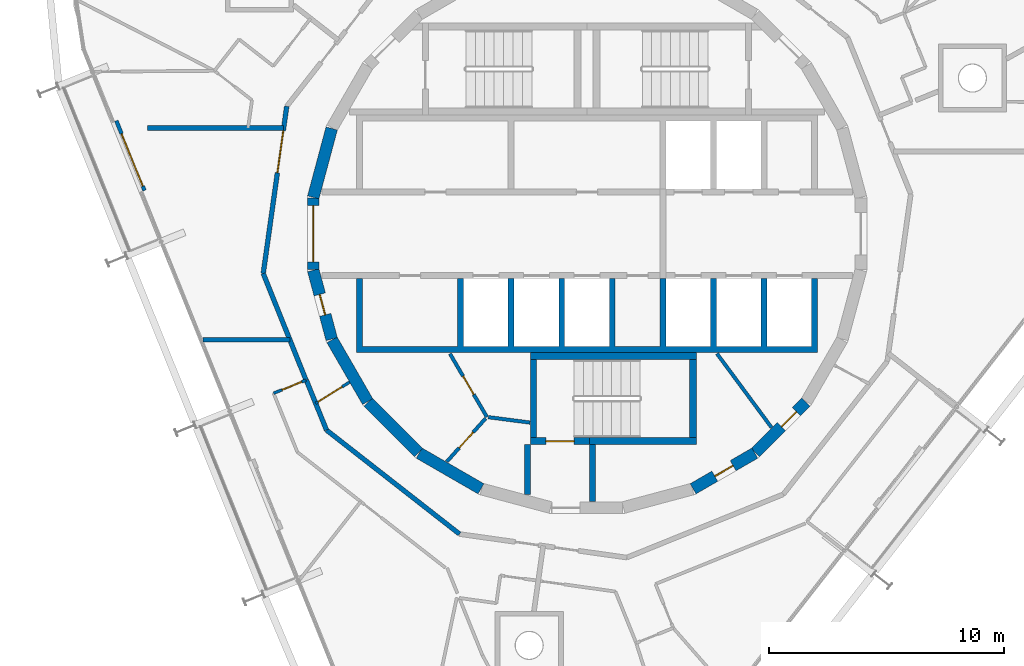
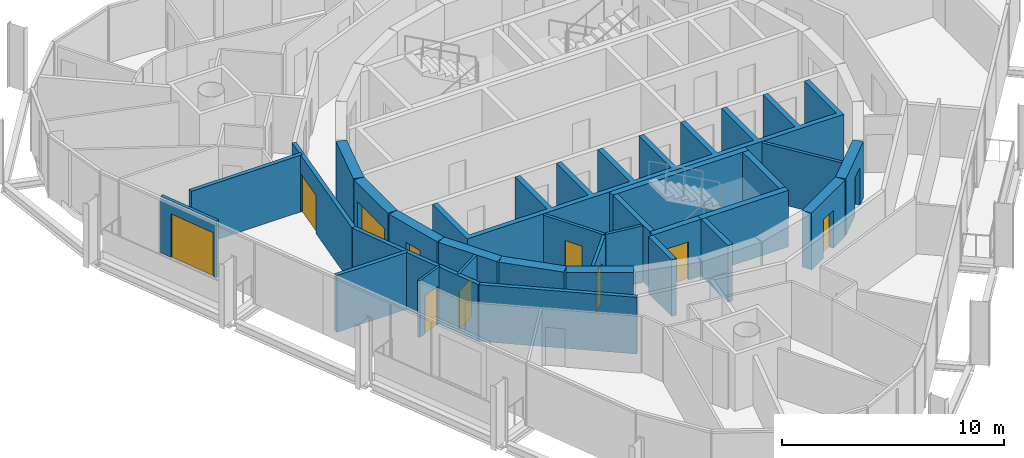
# One storey, part 10 of 15: 29 walls, 11 doors, 11 openings.
"""IFC4 building model written with IfcOpenShell, lengths in metres."""

from ifc_helpers import new_model, si_unit, direction, frame, frame_2d, origin, place, context, subcontext, project, spatial, polyline, rectangle, outline, extrude, material, layer, layer_set, type_object, element, fill, save


model = new_model("IFC4")

# Units and contexts
model_context = context("Model", 3, precision=1e-05, world=origin(), true_north=direction((0.0, 1.0)))
body_context = subcontext(model_context, "Body", "Model", "MODEL_VIEW")
ifc_project = project(units=[si_unit("LENGTHUNIT", "METRE"), si_unit("AREAUNIT", "SQUARE_METRE"), si_unit("VOLUMEUNIT", "CUBIC_METRE"), si_unit("PLANEANGLEUNIT", "RADIAN"), si_unit("MASSUNIT", "GRAM", prefix="KILO")], contexts=[model_context])

# Site, building, storey
site_placement = place(None, origin())
site = spatial("IfcSite", under=ifc_project, at=site_placement, CompositionType="ELEMENT")
building_placement = place(site_placement, origin())
building = spatial("IfcBuilding", under=site, at=building_placement, Name="Spindle Arch Residences", CompositionType="ELEMENT")
storey_placement = place(building_placement, frame((0.0, 0.0, 336.5)))
storey = spatial("IfcBuildingStorey", under=building, at=storey_placement, Name="L86", CompositionType="ELEMENT", Elevation=336.5)

# Wall, opening, door
ifc_material_1 = material(Name="Concrete C50/60", Category="concrete")
ifc_layer_1 = layer(ifc_material_1, 0.5)
ifc_layer_set_1 = layer_set([ifc_layer_1], Name="Core outline wall 500")
wall_type_1 = type_object("IfcWallType", Name="Core outline wall 500", PredefinedType="SHEAR", material=ifc_layer_set_1)
wall_1_placement = place(storey_placement, frame((4.510498046875, -10.84521484375, 0.0), z_axis=(0.0, 0.0, 1.0), x_axis=(0.865975092491, 0.500087131594, 0.0)))
wall_1 = element("IfcWall", 1, at=wall_1_placement, inside=storey, type_object=wall_type_1, Name="Core outline wall 2", PredefinedType="SHEAR", context=body_context, shape_type="SweptSolid", body=[
    extrude(rectangle(XDim=3.03271484375, YDim=0.5, at=frame_2d((1.516357421875, 0.0))), origin(), (0.0, 0.0, 1.0), 3.1201171875),
])
opening_1_placement = place(wall_1_placement, frame((1.06640625, 0.0, 0.0)))
opening_1 = element("IfcOpeningElement", 2, at=opening_1_placement, cuts=wall_1, Name="Opening R9A1-WD08", PredefinedType="OPENING", context=body_context, shape_type="SweptSolid", body=[
    extrude(rectangle(XDim=0.89990234375, YDim=2.10009765625, at=frame_2d((0.449951171875, 1.050048828125))), frame((0.0, 0.260009765625, 0.0), z_axis=(0.0, -1.0, 0.0), x_axis=(1.0, 0.0, 0.0)), (0.0, 0.0, 1.0), 0.52001953125),
])
ifc_material_2 = material(Name="Steel, fire-resisting door", Category="steel")
door_type_1 = type_object("IfcDoorType", Name="Service room door 900x2100", OperationType="SINGLE_SWING_LEFT", PredefinedType="DOOR", material=ifc_material_2)
door_1_placement = place(opening_1_placement, origin())
door_1 = element("IfcDoor", 3, at=door_1_placement, inside=storey, type_object=door_type_1, Name="Service room door R9A1-WD08", OperationType="SINGLE_SWING_RIGHT", OverallHeight=2.10009765625, OverallWidth=0.89990234375, PredefinedType="DOOR", context=body_context, shape_type="SweptSolid", body=[
    extrude(rectangle(XDim=0.89990234375, YDim=2.10009765625, at=frame_2d((0.449951171875, 1.050048828125))), frame((0.0, 0.02490234375, 0.0), z_axis=(0.0, -1.0, 0.0), x_axis=(1.0, 0.0, 0.0)), (0.0, 0.0, 1.0), 0.050048828125),
])
fill(opening_1, door_1)

wall_2_placement = place(storey_placement, frame((7.163818359375, -9.30810546875, 0.0), z_axis=(0.0, 0.0, 1.0), x_axis=(0.707106781187, 0.707106781187, 0.0)))
wall_2 = element("IfcWall", 4, at=wall_2_placement, inside=storey, type_object=wall_type_1, Name="Core outline wall 3", PredefinedType="SHEAR", context=body_context, shape_type="SweptSolid", body=[
    extrude(rectangle(XDim=3.032470703125, YDim=0.5, at=frame_2d((1.51611328125, 0.0))), origin(), (0.0, 0.0, 1.0), 3.1201171875),
])
opening_2_placement = place(wall_2_placement, frame((1.56640625, 0.0, 0.0)))
opening_2 = element("IfcOpeningElement", 5, at=opening_2_placement, cuts=wall_2, Name="Opening R9A1-WD09", PredefinedType="OPENING", context=body_context, shape_type="SweptSolid", body=[
    extrude(rectangle(XDim=0.89990234375, YDim=2.10009765625, at=frame_2d((0.449951171875, 1.050048828125))), frame((0.0, 0.260009765625, 0.0), z_axis=(0.0, -1.0, 0.0), x_axis=(1.0, 0.0, 0.0)), (0.0, 0.0, 1.0), 0.52001953125),
])
door_2_placement = place(opening_2_placement, origin())
door_2 = element("IfcDoor", 6, at=door_2_placement, inside=storey, type_object=door_type_1, Name="Service room door R9A1-WD09", OperationType="SINGLE_SWING_LEFT", OverallHeight=2.10009765625, OverallWidth=0.89990234375, PredefinedType="DOOR", context=body_context, shape_type="SweptSolid", body=[
    extrude(rectangle(XDim=0.89990234375, YDim=2.10009765625, at=frame_2d((0.449951171875, 1.050048828125))), frame((0.0, 0.02490234375, 0.0), z_axis=(0.0, -1.0, 0.0), x_axis=(1.0, 0.0, 0.0)), (0.0, 0.0, 1.0), 0.050048828125),
])
fill(opening_2, door_2)

# Wall
wall_3_placement = place(storey_placement, frame((-10.858154296875, 4.479248046875, 0.0), z_axis=(0.0, 0.0, 1.0), x_axis=(-0.258734743916, -0.965948410781, 0.0)))
element("IfcWall", 7, at=wall_3_placement, inside=storey, type_object=wall_type_1, Name="Core outline wall 17", PredefinedType="SHEAR", context=body_context, shape_type="SweptSolid", body=[
    extrude(rectangle(XDim=3.03271484375, YDim=0.5, at=frame_2d((1.516357421875, 0.0))), origin(), (0.0, 0.0, 1.0), 3.1201171875),
])

# Wall, opening, door
wall_4_placement = place(storey_placement, frame((-11.647216796875, 1.516357421875, 0.0), z_axis=(0.0, 0.0, 1.0), x_axis=(0.0, -1.0, 0.0)))
wall_4 = element("IfcWall", 8, at=wall_4_placement, inside=storey, type_object=wall_type_1, Name="Core outline wall 18", PredefinedType="SHEAR", context=body_context, shape_type="SweptSolid", body=[
    extrude(rectangle(XDim=3.03271484375, YDim=0.5, at=frame_2d((1.516357421875, 0.0))), origin(), (0.0, 0.0, 1.0), 3.1201171875),
])
opening_3_placement = place(wall_4_placement, frame((0.31640625, 0.0, 0.0)))
opening_3 = element("IfcOpeningElement", 9, at=opening_3_placement, cuts=wall_4, Name="Opening R9A1-LE01", PredefinedType="OPENING", context=body_context, shape_type="SweptSolid", body=[
    extrude(rectangle(XDim=2.39990234375, YDim=2.10009765625, at=frame_2d((1.199951171875, 1.050048828125))), frame((0.0, 0.260009765625, 0.0), z_axis=(0.0, -1.0, 0.0), x_axis=(1.0, 0.0, 0.0)), (0.0, 0.0, 1.0), 0.52001953125),
])
ifc_material_3 = material(Name="Steel, fire-resisting door", Category="steel")
door_type_2 = type_object("IfcDoorType", Name="Lift lobby entrance door 2400x2100", OperationType="DOUBLE_DOOR_SINGLE_SWING", PredefinedType="DOOR", material=ifc_material_3)
door_3_placement = place(opening_3_placement, origin())
door_3 = element("IfcDoor", 10, at=door_3_placement, inside=storey, type_object=door_type_2, Name="Lift lobby entrance door R9A1-LE01", OperationType="DOUBLE_DOOR_SINGLE_SWING", OverallHeight=2.10009765625, OverallWidth=2.39990234375, PredefinedType="DOOR", context=body_context, shape_type="SweptSolid", body=[
    extrude(rectangle(XDim=2.39990234375, YDim=2.10009765625, at=frame_2d((1.199951171875, 1.050048828125))), frame((0.0, 0.02490234375, 0.0), z_axis=(0.0, -1.0, 0.0), x_axis=(1.0, 0.0, 0.0)), (0.0, 0.0, 1.0), 0.050048828125),
])
fill(opening_3, door_3)

wall_5_placement = place(storey_placement, frame((-11.642822265625, -1.5498046875, 0.0), z_axis=(0.0, 0.0, 1.0), x_axis=(0.258734743916, -0.965948410781, 0.0)))
wall_5 = element("IfcWall", 11, at=wall_5_placement, inside=storey, type_object=wall_type_1, Name="Core outline wall 19", PredefinedType="SHEAR", context=body_context, shape_type="SweptSolid", body=[
    extrude(rectangle(XDim=3.03271484375, YDim=0.5, at=frame_2d((1.516357421875, 0.0))), origin(), (0.0, 0.0, 1.0), 3.1201171875),
])
opening_4_placement = place(wall_5_placement, frame((1.06640625, 0.0, 0.0)))
opening_4 = element("IfcOpeningElement", 12, at=opening_4_placement, cuts=wall_5, Name="Opening R9A1-WD10", PredefinedType="OPENING", context=body_context, shape_type="SweptSolid", body=[
    extrude(rectangle(XDim=0.89990234375, YDim=2.10009765625, at=frame_2d((0.449951171875, 1.050048828125))), frame((0.0, 0.260009765625, 0.0), z_axis=(0.0, -1.0, 0.0), x_axis=(1.0, 0.0, 0.0)), (0.0, 0.0, 1.0), 0.52001953125),
])
door_4_placement = place(opening_4_placement, origin())
door_4 = element("IfcDoor", 13, at=door_4_placement, inside=storey, type_object=door_type_1, Name="Service room door R9A1-WD10", OperationType="SINGLE_SWING_RIGHT", OverallHeight=2.10009765625, OverallWidth=0.89990234375, PredefinedType="DOOR", context=body_context, shape_type="SweptSolid", body=[
    extrude(rectangle(XDim=0.89990234375, YDim=2.10009765625, at=frame_2d((0.449951171875, 1.050048828125))), frame((0.0, 0.02490234375, 0.0), z_axis=(0.0, -1.0, 0.0), x_axis=(1.0, 0.0, 0.0)), (0.0, 0.0, 1.0), 0.050048828125),
])
fill(opening_4, door_4)

# Walls
wall_6_placement = place(storey_placement, frame((-10.84521484375, -4.510498046875, 0.0), z_axis=(0.0, 0.0, 1.0), x_axis=(0.500087131594, -0.865975092491, 0.0)))
element("IfcWall", 14, at=wall_6_placement, inside=storey, type_object=wall_type_1, Name="Core outline wall 20", PredefinedType="SHEAR", context=body_context, shape_type="SweptSolid", body=[
    extrude(rectangle(XDim=3.03271484375, YDim=0.5, at=frame_2d((1.516357421875, 0.0))), origin(), (0.0, 0.0, 1.0), 3.1201171875),
])
wall_7_placement = place(storey_placement, frame((-9.30810546875, -7.163818359375, 0.0), z_axis=(0.0, 0.0, 1.0), x_axis=(0.707106781187, -0.707106781187, 0.0)))
element("IfcWall", 15, at=wall_7_placement, inside=storey, type_object=wall_type_1, Name="Core outline wall 21", PredefinedType="SHEAR", context=body_context, shape_type="SweptSolid", body=[
    extrude(rectangle(XDim=3.032470703125, YDim=0.5, at=frame_2d((1.51611328125, 0.0))), origin(), (0.0, 0.0, 1.0), 3.1201171875),
])
wall_8_placement = place(storey_placement, frame((-7.13671875, -9.32861328125, 0.0), z_axis=(0.0, 0.0, 1.0), x_axis=(0.865975092491, -0.500087131594, 0.0)))
element("IfcWall", 16, at=wall_8_placement, inside=storey, type_object=wall_type_1, Name="Core outline wall 22", PredefinedType="SHEAR", context=body_context, shape_type="SweptSolid", body=[
    extrude(rectangle(XDim=3.03271484375, YDim=0.5, at=frame_2d((1.516357421875, 0.0))), origin(), (0.0, 0.0, 1.0), 3.1201171875),
])

# Wall, opening, door
ifc_material_4 = material(Name="Plasterboard on steel studs", Category="steel")
ifc_layer_2 = layer(ifc_material_4, 0.1201171875)
ifc_layer_set_2 = layer_set([ifc_layer_2], Name="Corridor division wall 120")
wall_type_2 = type_object("IfcWallType", Name="Corridor division wall 120", PredefinedType="PARTITIONING", material=ifc_layer_set_2)
wall_9_placement = place(storey_placement, frame((-11.539306640625, -7.21044921875, 0.0), z_axis=(0.0, 0.0, 1.0), x_axis=(0.848103039868, 0.529831325769, 0.0)))
wall_9 = element("IfcWall", 17, at=wall_9_placement, inside=storey, type_object=wall_type_2, Name="Corridor division wall R9A1-W003", PredefinedType="PARTITIONING", context=body_context, shape_type="SweptSolid", body=[
    extrude(rectangle(XDim=1.7021484375, YDim=0.1201171875, at=frame_2d((0.85107421875, 0.0))), origin(), (0.0, 0.0, 1.0), 3.1201171875),
])
opening_5_placement = place(wall_9_placement, frame((0.1201171875, 0.0, 0.0)))
opening_5 = element("IfcOpeningElement", 18, at=opening_5_placement, cuts=wall_9, Name="Opening R9A1-CD03", PredefinedType="OPENING", context=body_context, shape_type="SweptSolid", body=[
    extrude(rectangle(XDim=1.199951171875, YDim=2.10009765625, at=frame_2d((0.60009765625, 1.050048828125))), frame((0.0, 0.070068359375, 0.0), z_axis=(0.0, -1.0, 0.0), x_axis=(1.0, 0.0, 0.0)), (0.0, 0.0, 1.0), 0.14013671875),
])
ifc_material_5 = material(Name="Steel, fire-resisting door", Category="steel")
door_type_3 = type_object("IfcDoorType", Name="Corridor division door 1200x2100", OperationType="NOTDEFINED", PredefinedType="DOOR", material=ifc_material_5)
door_5_placement = place(opening_5_placement, origin())
door_5 = element("IfcDoor", 19, at=door_5_placement, inside=storey, type_object=door_type_3, Name="Corridor division door R9A1-CD03", OperationType="DOUBLE_DOOR_SINGLE_SWING", OverallHeight=2.10009765625, OverallWidth=1.199951171875, PredefinedType="DOOR", context=body_context, shape_type="SweptSolid", body=[
    extrude(rectangle(XDim=1.199951171875, YDim=2.10009765625, at=frame_2d((0.60009765625, 1.050048828125))), frame((0.0, 0.02490234375, 0.0), z_axis=(0.0, -1.0, 0.0), x_axis=(1.0, 0.0, 0.0)), (0.0, 0.0, 1.0), 0.050048828125),
])
fill(opening_5, door_5)

# Walls
ifc_material_6 = material(Name="Calcium silicate block, plastered")
ifc_layer_3 = layer(ifc_material_6, 0.199951171875)
ifc_layer_set_3 = layer_set([ifc_layer_3], Name="Corridor wall 200")
wall_type_3 = type_object("IfcWallType", Name="Corridor wall 200", PredefinedType="STANDARD", material=ifc_layer_set_3)
wall_10_placement = place(storey_placement, frame((-11.939453125, -6.2197265625, 0.0), z_axis=(0.0, 0.0, 1.0), x_axis=(0.374651128394, -0.927165860024, 0.0)))
element("IfcWall", 20, at=wall_10_placement, inside=storey, type_object=wall_type_3, Name="Corridor wall R9A1-W013", PredefinedType="STANDARD", context=body_context, shape_type="SweptSolid", body=[
    extrude(rectangle(XDim=2.29638671875, YDim=0.199951171875, at=frame_2d((1.148193359375, 0.0))), origin(), (0.0, 0.0, 1.0), 3.1201171875),
])
wall_11_placement = place(storey_placement, frame((-11.0791015625, -8.348876953125, 0.0), z_axis=(0.0, 0.0, 1.0), x_axis=(0.78800478687, -0.615669112324, 0.0)))
element("IfcWall", 21, at=wall_11_placement, inside=storey, type_object=wall_type_3, Name="Corridor wall R9A1-W014", PredefinedType="STANDARD", context=body_context, shape_type="SweptSolid", body=[
    extrude(rectangle(XDim=7.18115234375, YDim=0.199951171875, at=frame_2d((3.590576171875, 0.0))), origin(), (0.0, 0.0, 1.0), 3.1201171875),
])

# Wall, opening, door
ifc_material_7 = material(Name="Plasterboard on steel studs", Category="steel")
ifc_layer_4 = layer(ifc_material_7, 0.1201171875)
ifc_layer_set_4 = layer_set([ifc_layer_4], Name="Flat partition 120")
wall_type_4 = type_object("IfcWallType", Name="Flat partition 120", PredefinedType="PARTITIONING", material=ifc_layer_set_4)
wall_12_placement = place(storey_placement, frame((-11.953369140625, -6.225341796875, 0.0), z_axis=(0.0, 0.0, 1.0), x_axis=(-0.927144096717, -0.374704982518, 0.0)))
wall_12 = element("IfcWall", 22, at=wall_12_placement, inside=storey, type_object=wall_type_4, Name="Flat partition R9A1-W071", PredefinedType="PARTITIONING", context=body_context, shape_type="SweptSolid", body=[
    extrude(rectangle(XDim=1.48486328125, YDim=0.1201171875, at=frame_2d((0.742431640625, 0.0))), origin(), (0.0, 0.0, 1.0), 3.1201171875),
])
opening_6_placement = place(wall_12_placement, frame((0.199951171875, 0.0, 0.0)))
opening_6 = element("IfcOpeningElement", 23, at=opening_6_placement, cuts=wall_12, Name="Opening R9A1-ID15", PredefinedType="OPENING", context=body_context, shape_type="SweptSolid", body=[
    extrude(rectangle(XDim=0.89990234375, YDim=2.10009765625, at=frame_2d((0.449951171875, 1.050048828125))), frame((0.0, 0.070068359375, 0.0), z_axis=(0.0, -1.0, 0.0), x_axis=(1.0, 0.0, 0.0)), (0.0, 0.0, 1.0), 0.14013671875),
])
ifc_material_8 = material(Name="Timber door set", Category="wood")
door_type_4 = type_object("IfcDoorType", Name="Room door 900x2100", OperationType="NOTDEFINED", PredefinedType="DOOR", material=ifc_material_8)
door_6_placement = place(opening_6_placement, origin())
door_6 = element("IfcDoor", 24, at=door_6_placement, inside=storey, type_object=door_type_4, Name="Room door R9A1-ID15", OperationType="SINGLE_SWING_LEFT", OverallHeight=2.10009765625, OverallWidth=0.89990234375, PredefinedType="DOOR", context=body_context, shape_type="SweptSolid", body=[
    extrude(rectangle(XDim=0.89990234375, YDim=2.10009765625, at=frame_2d((0.449951171875, 1.050048828125))), frame((0.0, 0.02490234375, 0.0), z_axis=(0.0, -1.0, 0.0), x_axis=(1.0, 0.0, 0.0)), (0.0, 0.0, 1.0), 0.050048828125),
])
fill(opening_6, door_6)

ifc_material_9 = material(Name="Non-combustible mineral wool insulated aluminium faced external wall (K0)", Category="aluminium")
ifc_layer_5 = layer(ifc_material_9, 0.159912109375)
ifc_layer_set_5 = layer_set([ifc_layer_5], Name="Insulated external wall panel 160")
wall_type_5 = type_object("IfcWallType", Name="Insulated external wall panel 160", PredefinedType="STANDARD", material=ifc_layer_set_5)
wall_13_placement = place(storey_placement, frame((-20.01611328125, 4.805908203125, 0.0), z_axis=(0.0, 0.0, 1.0), x_axis=(0.374598019739, -0.927187318511, 0.0)))
wall_13 = element("IfcWall", 25, at=wall_13_placement, inside=storey, type_object=wall_type_5, Name="External wall L86 bay 12", PredefinedType="STANDARD", context=body_context, shape_type="SweptSolid", body=[
    extrude(rectangle(XDim=3.199951171875, YDim=0.159912109375, at=frame_2d((1.60009765625, 0.0))), origin(), (0.0, 0.0, 1.0), 3.1201171875),
])
opening_7_placement = place(wall_13_placement, frame((0.60009765625, 0.0, 0.0)))
opening_7 = element("IfcOpeningElement", 26, at=opening_7_placement, cuts=wall_13, Name="Opening BD12", PredefinedType="OPENING", context=body_context, shape_type="SweptSolid", body=[
    extrude(rectangle(XDim=2.39990234375, YDim=2.39990234375, at=frame_2d((1.199951171875, 1.199951171875))), frame((0.0, 0.08984375, 0.0), z_axis=(0.0, -1.0, 0.0), x_axis=(1.0, 0.0, 0.0)), (0.0, 0.0, 1.0), 0.179931640625),
])
ifc_material_10 = material(Name="Bronze aluminium frame, tinted double glazing", Category="aluminium")
door_type_5 = type_object("IfcDoorType", Name="Sliding glazed balcony door 2400x2400", OperationType="DOUBLE_DOOR_SLIDING", PredefinedType="DOOR", material=ifc_material_10)
door_7_placement = place(opening_7_placement, origin())
door_7 = element("IfcDoor", 27, at=door_7_placement, inside=storey, type_object=door_type_5, Name="Balcony door BD12", OperationType="DOUBLE_DOOR_SLIDING", OverallHeight=2.39990234375, OverallWidth=2.39990234375, PredefinedType="DOOR", context=body_context, shape_type="SweptSolid", body=[
    extrude(rectangle(XDim=2.39990234375, YDim=2.39990234375, at=frame_2d((1.199951171875, 1.199951171875))), frame((0.0, 0.02490234375, 0.0), z_axis=(0.0, -1.0, 0.0), x_axis=(1.0, 0.0, 0.0)), (0.0, 0.0, 1.0), 0.050048828125),
])
fill(opening_7, door_7)

ifc_material_11 = material(Name="Calcium silicate block, plastered")
ifc_layer_6 = layer(ifc_material_11, 0.199951171875)
ifc_layer_set_6 = layer_set([ifc_layer_6], Name="Lift lobby bay wall 200")
wall_type_6 = type_object("IfcWallType", Name="Lift lobby bay wall 200", PredefinedType="STANDARD", material=ifc_layer_set_6)
wall_14_placement = place(storey_placement, frame((-12.77001953125, 5.42041015625, 0.0), z_axis=(0.0, 0.0, 1.0), x_axis=(-0.139155334385, -0.990270565508, 0.0)))
wall_14 = element("IfcWall", 28, at=wall_14_placement, inside=storey, type_object=wall_type_6, Name="Lift lobby bay wall R9A1-W009", PredefinedType="STANDARD", context=body_context, shape_type="SweptSolid", body=[
    extrude(rectangle(XDim=7.180908203125, YDim=0.199951171875, at=frame_2d((3.59033203125, 0.0))), origin(), (0.0, 0.0, 1.0), 3.1201171875),
])
opening_8_placement = place(wall_14_placement, frame((1.0546875, 0.0, 0.0)))
opening_8 = element("IfcOpeningElement", 29, at=opening_8_placement, cuts=wall_14, Name="Opening R9A1-LB01", PredefinedType="OPENING", context=body_context, shape_type="SweptSolid", body=[
    extrude(rectangle(XDim=1.800048828125, YDim=2.10009765625, at=frame_2d((0.89990234375, 1.050048828125))), frame((0.0, 0.10986328125, 0.0), z_axis=(0.0, -1.0, 0.0), x_axis=(1.0, 0.0, 0.0)), (0.0, 0.0, 1.0), 0.219970703125),
])
ifc_material_12 = material(Name="Steel, fire-resisting door", Category="steel")
door_type_6 = type_object("IfcDoorType", Name="Lift lobby bay door 1800x2100", OperationType="NOTDEFINED", PredefinedType="DOOR", material=ifc_material_12)
door_8_placement = place(opening_8_placement, origin())
door_8 = element("IfcDoor", 30, at=door_8_placement, inside=storey, type_object=door_type_6, Name="Lift lobby bay door R9A1-LB01", OperationType="DOUBLE_DOOR_SINGLE_SWING", OverallHeight=2.10009765625, OverallWidth=1.800048828125, PredefinedType="DOOR", context=body_context, shape_type="SweptSolid", body=[
    extrude(rectangle(XDim=1.800048828125, YDim=2.10009765625, at=frame_2d((0.89990234375, 1.050048828125))), frame((0.0, 0.02490234375, 0.0), z_axis=(0.0, -1.0, 0.0), x_axis=(1.0, 0.0, 0.0)), (0.0, 0.0, 1.0), 0.050048828125),
])
fill(opening_8, door_8)

# Walls
wall_15_placement = place(storey_placement, frame((-13.769287109375, -1.690673828125, 0.0), z_axis=(0.0, 0.0, 1.0), x_axis=(0.372720094028, -0.927943819155, 0.0)))
element("IfcWall", 31, at=wall_15_placement, inside=storey, type_object=wall_type_6, Name="Lift lobby bay wall R9A1-W010", PredefinedType="STANDARD", context=body_context, shape_type="SweptSolid", body=[
    extrude(rectangle(XDim=4.874755859375, YDim=0.199951171875, at=frame_2d((2.4375, 0.0))), origin(), (0.0, 0.0, 1.0), 3.1201171875),
])
wall_16_placement = place(storey_placement, frame((-12.8994140625, 4.5, 0.0), z_axis=(0.0, 0.0, 1.0), x_axis=(-1.0, 0.0, 0.0)))
element("IfcWall", 32, at=wall_16_placement, inside=storey, type_object=wall_type_6, Name="Lift lobby bay wall R9A1-W017", PredefinedType="STANDARD", context=body_context, shape_type="SweptSolid", body=[
    extrude(rectangle(XDim=5.800537109375, YDim=0.199951171875, at=frame_2d((2.900390625, 0.0))), origin(), (0.0, 0.0, 1.0), 3.1201171875),
])
wall_17_placement = place(storey_placement, frame((-16.338623046875, -4.510009765625, 0.0), z_axis=(0.0, 0.0, 1.0), x_axis=(1.0, 0.0, 0.0)))
element("IfcWall", 33, at=wall_17_placement, inside=storey, type_object=wall_type_6, Name="Lift lobby bay wall R9A1-W018", PredefinedType="STANDARD", context=body_context, shape_type="SweptSolid", body=[
    extrude(rectangle(XDim=3.697509765625, YDim=0.199951171875, at=frame_2d((1.8486328125, 0.0))), origin(), (0.0, 0.0, 1.0), 3.1201171875),
])
ifc_material_13 = material(Name="Concrete C50/60", Category="concrete")
wall_type_7 = type_object("IfcWallType", Name="Lift shaft wall profile", PredefinedType="SHEAR", material=ifc_material_13)
wall_18_placement = place(storey_placement, origin())
element("IfcWall", 34, at=wall_18_placement, inside=storey, type_object=wall_type_7, Name="Lift shaft walls S", PredefinedType="SHEAR", context=body_context, shape_type="SweptSolid", body=[
    extrude(outline(polyline([(9.800048828125, -5.050048828125), (9.800048828125, -4.800048828125), (9.800048828125, -1.89990234375), (9.550048828125, -1.89990234375), (9.550048828125, -4.800048828125), (7.64990234375, -4.800048828125), (7.64990234375, -1.89990234375), (7.39990234375, -1.89990234375), (7.39990234375, -4.800048828125), (5.5, -4.800048828125), (5.5, -1.89990234375), (5.25, -1.89990234375), (5.25, -4.800048828125), (3.35009765625, -4.800048828125), (3.35009765625, -1.89990234375), (3.10009765625, -1.89990234375), (3.10009765625, -4.800048828125), (1.199951171875, -4.800048828125), (1.199951171875, -1.89990234375), (0.949951171875, -1.89990234375), (0.949951171875, -4.800048828125), (-0.949951171875, -4.800048828125), (-0.949951171875, -1.89990234375), (-1.199951171875, -1.89990234375), (-1.199951171875, -4.800048828125), (-3.10009765625, -4.800048828125), (-3.10009765625, -1.89990234375), (-3.35009765625, -1.89990234375), (-3.35009765625, -4.800048828125), (-5.25, -4.800048828125), (-5.25, -1.89990234375), (-5.5, -1.89990234375), (-5.5, -4.800048828125), (-9.550048828125, -4.800048828125), (-9.550048828125, -1.89990234375), (-9.800048828125, -1.89990234375), (-9.800048828125, -4.800048828125), (-9.800048828125, -5.050048828125), (9.800048828125, -5.050048828125)])), origin(), (0.0, 0.0, 1.0), 3.1201171875),
])
ifc_material_14 = material(Name="Concrete C25/30", Category="concrete")
ifc_layer_7 = layer(ifc_material_14, 0.14990234375)
ifc_layer_set_7 = layer_set([ifc_layer_7], Name="Service room partition 150")
wall_type_8 = type_object("IfcWallType", Name="Service room partition 150", PredefinedType="PARTITIONING", material=ifc_layer_set_7)
wall_19_placement = place(storey_placement, frame((5.528076171875, -5.098388671875, 0.0), z_axis=(0.0, 0.0, 1.0), x_axis=(0.594034318069, -0.804439698769, 0.0)))
element("IfcWall", 35, at=wall_19_placement, inside=storey, type_object=wall_type_8, Name="Core service room partition", PredefinedType="PARTITIONING", context=body_context, shape_type="SweptSolid", body=[
    extrude(rectangle(XDim=3.90673828125, YDim=0.14990234375, at=frame_2d((1.953369140625, 0.0))), origin(), (0.0, 0.0, 1.0), 3.1201171875),
])

# Wall, opening, door
wall_20_placement = place(storey_placement, frame((-5.8291015625, -5.101806640625, 0.0), z_axis=(0.0, 0.0, 1.0), x_axis=(0.504480008384, -0.863423373057, 0.0)))
wall_20 = element("IfcWall", 36, at=wall_20_placement, inside=storey, type_object=wall_type_8, Name="Core service room partition", PredefinedType="PARTITIONING", context=body_context, shape_type="SweptSolid", body=[
    extrude(rectangle(XDim=3.115234375, YDim=0.14990234375, at=frame_2d((1.5576171875, 0.0))), origin(), (0.0, 0.0, 1.0), 3.1201171875),
])
opening_9_placement = place(wall_20_placement, frame((1.107421875, 0.0, 0.0)))
opening_9 = element("IfcOpeningElement", 37, at=opening_9_placement, cuts=wall_20, Name="Opening R9A1-WD07", PredefinedType="OPENING", context=body_context, shape_type="SweptSolid", body=[
    extrude(rectangle(XDim=0.89990234375, YDim=2.10009765625, at=frame_2d((0.449951171875, 1.050048828125))), frame((0.0, 0.0849609375, 0.0), z_axis=(0.0, -1.0, 0.0), x_axis=(1.0, 0.0, 0.0)), (0.0, 0.0, 1.0), 0.169921875),
])
door_9_placement = place(opening_9_placement, origin())
door_9 = element("IfcDoor", 38, at=door_9_placement, inside=storey, type_object=door_type_1, Name="Service room door R9A1-WD07", OperationType="SINGLE_SWING_LEFT", OverallHeight=2.10009765625, OverallWidth=0.89990234375, PredefinedType="DOOR", context=body_context, shape_type="SweptSolid", body=[
    extrude(rectangle(XDim=0.89990234375, YDim=2.10009765625, at=frame_2d((0.449951171875, 1.050048828125))), frame((0.0, 0.02490234375, 0.0), z_axis=(0.0, -1.0, 0.0), x_axis=(1.0, 0.0, 0.0)), (0.0, 0.0, 1.0), 0.050048828125),
])
fill(opening_9, door_9)

wall_21_placement = place(storey_placement, frame((-4.310791015625, -7.85107421875, 0.0), z_axis=(0.0, 0.0, 1.0), x_axis=(-0.667869133096, -0.744278725383, 0.0)))
wall_21 = element("IfcWall", 39, at=wall_21_placement, inside=storey, type_object=wall_type_8, Name="Core service room partition", PredefinedType="PARTITIONING", context=body_context, shape_type="SweptSolid", body=[
    extrude(rectangle(XDim=2.476318359375, YDim=0.14990234375, at=frame_2d((1.23828125, 0.0))), origin(), (0.0, 0.0, 1.0), 3.1201171875),
])
opening_10_placement = place(wall_21_placement, frame((0.7880859375, 0.0, 0.0)))
opening_10 = element("IfcOpeningElement", 40, at=opening_10_placement, cuts=wall_21, Name="Opening R9A1-WD06", PredefinedType="OPENING", context=body_context, shape_type="SweptSolid", body=[
    extrude(rectangle(XDim=0.89990234375, YDim=2.10009765625, at=frame_2d((0.449951171875, 1.050048828125))), frame((0.0, 0.0849609375, 0.0), z_axis=(0.0, -1.0, 0.0), x_axis=(1.0, 0.0, 0.0)), (0.0, 0.0, 1.0), 0.169921875),
])
door_10_placement = place(opening_10_placement, origin())
door_10 = element("IfcDoor", 41, at=door_10_placement, inside=storey, type_object=door_type_1, Name="Service room door R9A1-WD06", OperationType="SINGLE_SWING_RIGHT", OverallHeight=2.10009765625, OverallWidth=0.89990234375, PredefinedType="DOOR", context=body_context, shape_type="SweptSolid", body=[
    extrude(rectangle(XDim=0.89990234375, YDim=2.10009765625, at=frame_2d((0.449951171875, 1.050048828125))), frame((0.0, 0.02490234375, 0.0), z_axis=(0.0, -1.0, 0.0), x_axis=(1.0, 0.0, 0.0)), (0.0, 0.0, 1.0), 0.050048828125),
])
fill(opening_10, door_10)

# Walls
wall_22_placement = place(storey_placement, frame((-4.197998046875, -7.79931640625, 0.0), z_axis=(0.0, 0.0, 1.0), x_axis=(0.991686747293, -0.128675542523, 0.0)))
element("IfcWall", 42, at=wall_22_placement, inside=storey, type_object=wall_type_8, Name="Core service room partition", PredefinedType="PARTITIONING", context=body_context, shape_type="SweptSolid", body=[
    extrude(rectangle(XDim=1.79296875, YDim=0.14990234375, at=frame_2d((0.896484375, 0.0))), origin(), (0.0, 0.0, 1.0), 3.1201171875),
])
ifc_material_15 = material(Name="Concrete C40/50", Category="concrete")
ifc_layer_8 = layer(ifc_material_15, 0.25)
ifc_layer_set_8 = layer_set([ifc_layer_8], Name="Stair airlock wall 250")
wall_type_9 = type_object("IfcWallType", Name="Stair airlock wall 250", PredefinedType="SHEAR", material=ifc_layer_set_8)
wall_23_placement = place(storey_placement, frame((-2.52490234375, -8.969970703125, 0.0), z_axis=(0.0, 0.0, 1.0), x_axis=(0.0, -1.0, 0.0)))
element("IfcWall", 43, at=wall_23_placement, inside=storey, type_object=wall_type_9, Name="Stair ST-3 airlock wall W", PredefinedType="SHEAR", context=body_context, shape_type="SweptSolid", body=[
    extrude(rectangle(XDim=2.110107421875, YDim=0.25, at=frame_2d((1.05517578125, 0.0))), origin(), (0.0, 0.0, 1.0), 3.1201171875),
])
wall_24_placement = place(storey_placement, frame((0.22509765625, -8.969970703125, 0.0), z_axis=(0.0, 0.0, 1.0), x_axis=(0.0, -1.0, 0.0)))
element("IfcWall", 44, at=wall_24_placement, inside=storey, type_object=wall_type_9, Name="Stair ST-3 airlock wall E", PredefinedType="SHEAR", context=body_context, shape_type="SweptSolid", body=[
    extrude(rectangle(XDim=2.409912109375, YDim=0.25, at=frame_2d((1.205078125, 0.0))), origin(), (0.0, 0.0, 1.0), 3.1201171875),
])
ifc_material_16 = material(Name="Concrete C50/60", Category="concrete")
ifc_layer_9 = layer(ifc_material_16, 0.25)
ifc_layer_set_9 = layer_set([ifc_layer_9], Name="Stair enclosure wall 250")
wall_type_10 = type_object("IfcWallType", Name="Stair enclosure wall 250", PredefinedType="SHEAR", material=ifc_layer_set_9)
wall_25_placement = place(storey_placement, frame((-2.27490234375, -8.669921875, 0.0), z_axis=(0.0, 0.0, 1.0), x_axis=(0.0, 1.0, 0.0)))
element("IfcWall", 45, at=wall_25_placement, inside=storey, type_object=wall_type_10, Name="Stair ST-3 enclosure wall W", PredefinedType="SHEAR", context=body_context, shape_type="SweptSolid", body=[
    extrude(rectangle(XDim=3.31982421875, YDim=0.25, at=frame_2d((1.659912109375, 0.0))), origin(), (0.0, 0.0, 1.0), 3.1201171875),
])
ifc_material_17 = material(Name="Concrete C50/60", Category="concrete")
ifc_layer_10 = layer(ifc_material_17, 0.300048828125)
ifc_layer_set_10 = layer_set([ifc_layer_10], Name="Stair enclosure wall 300")
wall_type_11 = type_object("IfcWallType", Name="Stair enclosure wall 300", PredefinedType="SHEAR", material=ifc_layer_set_10)
wall_26_placement = place(storey_placement, frame((-2.39990234375, -5.199951171875, 0.0), z_axis=(0.0, 0.0, 1.0), x_axis=(1.0, 0.0, 0.0)))
element("IfcWall", 46, at=wall_26_placement, inside=storey, type_object=wall_type_11, Name="Stair ST-3 enclosure wall N", PredefinedType="SHEAR", context=body_context, shape_type="SweptSolid", body=[
    extrude(rectangle(XDim=7.0498046875, YDim=0.300048828125, at=frame_2d((3.52490234375, 0.0))), origin(), (0.0, 0.0, 1.0), 3.1201171875),
])
wall_27_placement = place(storey_placement, frame((4.5, -8.669921875, 0.0), z_axis=(0.0, 0.0, 1.0), x_axis=(0.0, 1.0, 0.0)))
element("IfcWall", 47, at=wall_27_placement, inside=storey, type_object=wall_type_11, Name="Stair ST-3 enclosure wall E", PredefinedType="SHEAR", context=body_context, shape_type="SweptSolid", body=[
    extrude(rectangle(XDim=3.31982421875, YDim=0.300048828125, at=frame_2d((1.659912109375, 0.0))), origin(), (0.0, 0.0, 1.0), 3.1201171875),
])
wall_28_placement = place(storey_placement, frame((0.10009765625, -8.820068359375, 0.0), z_axis=(0.0, 0.0, 1.0), x_axis=(1.0, 0.0, 0.0)))
element("IfcWall", 48, at=wall_28_placement, inside=storey, type_object=wall_type_11, Name="Stair ST-3 enclosure wall S", PredefinedType="SHEAR", context=body_context, shape_type="SweptSolid", body=[
    extrude(rectangle(XDim=4.5498046875, YDim=0.300048828125, at=frame_2d((2.27490234375, 0.0))), origin(), (0.0, 0.0, 1.0), 3.1201171875),
])

# Wall, opening, door
wall_29_placement = place(storey_placement, frame((-2.39990234375, -8.820068359375, 0.0), z_axis=(0.0, 0.0, 1.0), x_axis=(1.0, 0.0, 0.0)))
wall_29 = element("IfcWall", 49, at=wall_29_placement, inside=storey, type_object=wall_type_11, Name="Stair ST-3 door wall", PredefinedType="SHEAR", context=body_context, shape_type="SweptSolid", body=[
    extrude(rectangle(XDim=2.5, YDim=0.300048828125, at=frame_2d((1.25, 0.0))), origin(), (0.0, 0.0, 1.0), 3.1201171875),
])
opening_11_placement = place(wall_29_placement, frame((0.64990234375, 0.0, 0.0)))
opening_11 = element("IfcOpeningElement", 50, at=opening_11_placement, cuts=wall_29, Name="Opening R9A1-SD03", PredefinedType="OPENING", context=body_context, shape_type="SweptSolid", body=[
    extrude(rectangle(XDim=1.199951171875, YDim=2.10009765625, at=frame_2d((0.60009765625, 1.050048828125))), frame((0.0, 0.16015625, 0.0), z_axis=(0.0, -1.0, 0.0), x_axis=(1.0, 0.0, 0.0)), (0.0, 0.0, 1.0), 0.320068359375),
])
ifc_material_18 = material(Name="Steel, fire-resisting door", Category="steel")
door_type_7 = type_object("IfcDoorType", Name="Stair door 1200x2100", OperationType="SINGLE_SWING_RIGHT", PredefinedType="DOOR", material=ifc_material_18)
door_11_placement = place(opening_11_placement, origin())
door_11 = element("IfcDoor", 51, at=door_11_placement, inside=storey, type_object=door_type_7, Name="Stair door R9A1-SD03", OperationType="SINGLE_SWING_LEFT", OverallHeight=2.10009765625, OverallWidth=1.199951171875, PredefinedType="DOOR", context=body_context, shape_type="SweptSolid", body=[
    extrude(rectangle(XDim=1.199951171875, YDim=2.10009765625, at=frame_2d((0.60009765625, 1.050048828125))), frame((0.0, 0.02490234375, 0.0), z_axis=(0.0, -1.0, 0.0), x_axis=(1.0, 0.0, 0.0)), (0.0, 0.0, 1.0), 0.050048828125),
])
fill(opening_11, door_11)

save(model, "model.ifc")
